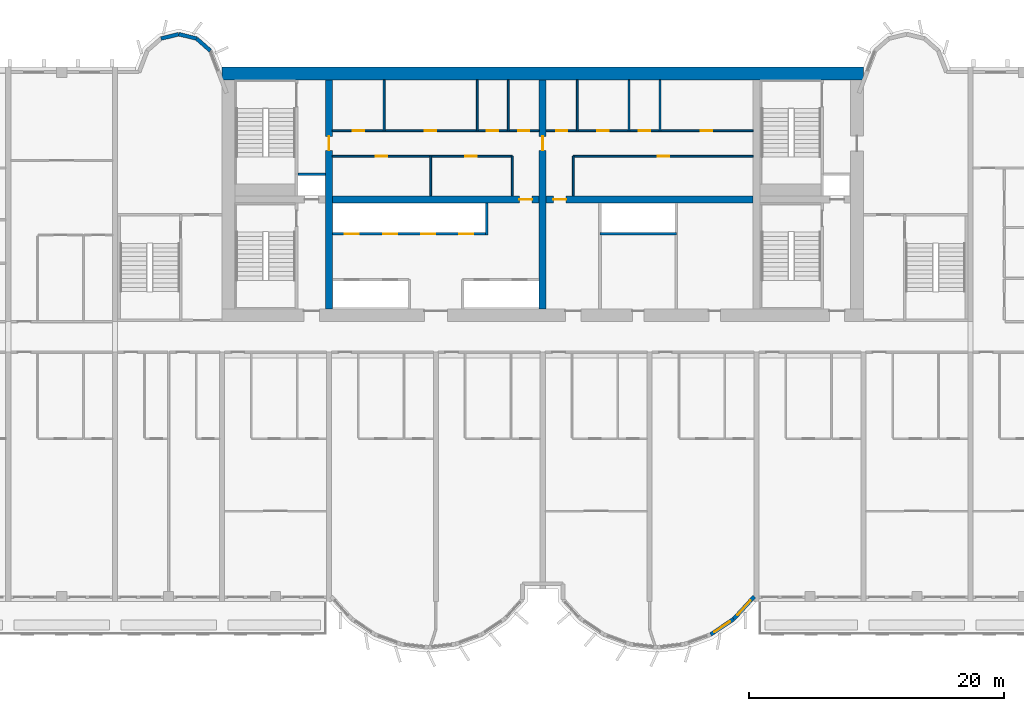
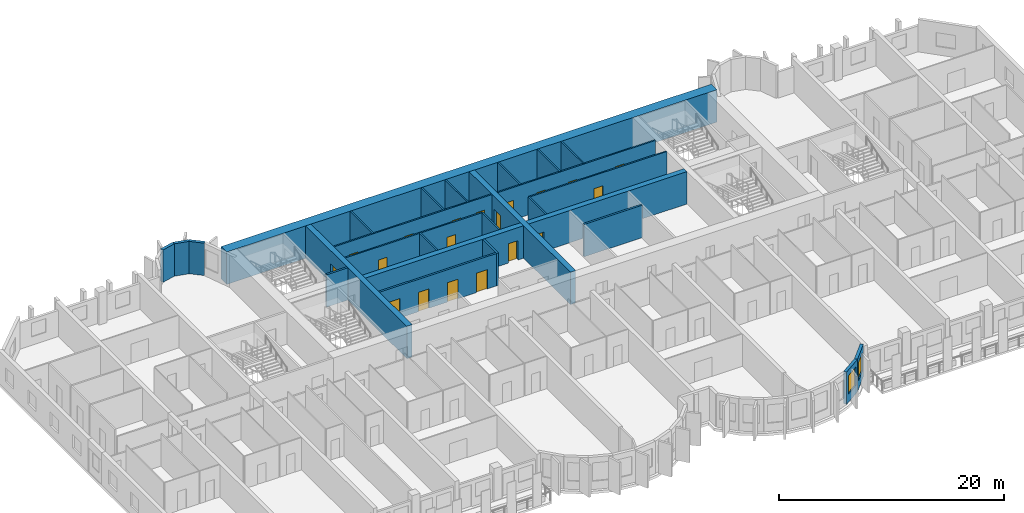
# One storey, part 7 of 15: 27 walls, 19 doors, 2 windows, 21 openings.
"""IFC4 building model written with IfcOpenShell, lengths in metres."""

from ifc_helpers import new_model, si_unit, direction, frame, frame_2d, origin, place, context, subcontext, project, spatial, rectangle, extrude, source, transform, mapped, material, layer, layer_set, type_object, element, fill, save


model = new_model("IFC4")

# Units and contexts
model_context = context("Model", 3, precision=1e-05, world=origin(), true_north=direction((0.0, 1.0)))
body_context = subcontext(model_context, "Body", "Model", "MODEL_VIEW")
ifc_project = project(units=[si_unit("LENGTHUNIT", "METRE"), si_unit("AREAUNIT", "SQUARE_METRE"), si_unit("VOLUMEUNIT", "CUBIC_METRE"), si_unit("PLANEANGLEUNIT", "RADIAN"), si_unit("MASSUNIT", "GRAM", prefix="KILO")], contexts=[model_context])

# Site, building, storey
site_placement = place(None, origin())
site = spatial("IfcSite", under=ifc_project, at=site_placement, CompositionType="ELEMENT")
building_placement = place(site_placement, origin())
building = spatial("IfcBuilding", under=site, at=building_placement, Name="Vanashikhar Sky Hotel", CompositionType="ELEMENT")
storey_placement = place(building_placement, frame((0.0, 0.0, 69.60009765625)))
storey = spatial("IfcBuildingStorey", under=building, at=storey_placement, Name="L16", CompositionType="ELEMENT", Elevation=69.60009765625)

# Wall
ifc_material_1 = material(Name="Concrete M80", Category="concrete")
ifc_layer_1 = layer(ifc_material_1, 1.0)
ifc_layer_set_1 = layer_set([ifc_layer_1], Name="RC core shell wall 1000 Concrete M80")
wall_type_1 = type_object("IfcWallType", Name="RC core shell wall 1000 Concrete M80", PredefinedType="SHEAR", material=ifc_layer_set_1)
shared_shape_1 = source(origin(), body_context, "Body", "SweptSolid", [
    extrude(rectangle(XDim=50.400146484375, YDim=1.0, at=frame_2d((25.2001953125, 0.0))), origin(), (0.0, 0.0, 1.0), 3.52001953125),
])
wall_1_placement = place(storey_placement, frame((25.199951171875, 41.5, 0.0), z_axis=(0.0, 0.0, 1.0), x_axis=(1.0, 0.0, 0.0)))
element("IfcWall", 1, at=wall_1_placement, inside=storey, type_object=wall_type_1, Name="KW-L16-KN", PredefinedType="SHEAR", context=body_context, shape_type="MappedRepresentation", body=[
    mapped(shared_shape_1, transform((0.0, 0.0, 0.0), scale=1.0)),
])

# Wall, opening, door
ifc_layer_2 = layer(ifc_material_1, 0.550048828125)
ifc_layer_set_2 = layer_set([ifc_layer_2], Name="RC core inner wall 550 Concrete M80")
wall_type_2 = type_object("IfcWallType", Name="RC core inner wall 550 Concrete M80", PredefinedType="SHEAR", material=ifc_layer_set_2)
shared_shape_2 = source(origin(), body_context, "Body", "SweptSolid", [
    extrude(rectangle(XDim=18.0, YDim=0.550048828125, at=frame_2d((9.0, 0.0))), origin(), (0.0, 0.0, 1.0), 3.52001953125),
])
wall_2_placement = place(storey_placement, frame((33.60009765625, 23.0, 0.0), z_axis=(0.0, 0.0, 1.0), x_axis=(0.0, 1.0, 0.0)))
wall_2 = element("IfcWall", 2, at=wall_2_placement, inside=storey, type_object=wall_type_2, Name="KW-L16-KX1", PredefinedType="SHEAR", context=body_context, shape_type="MappedRepresentation", body=[
    mapped(shared_shape_2, transform((0.0, 0.0, 0.0), scale=1.0)),
])
shared_shape_3 = source(origin(), body_context, "Body", "SweptSolid", [
    extrude(rectangle(XDim=1.10009765625, YDim=2.10009765625, at=frame_2d((0.550048828125, 1.050048828125))), frame((0.0, 0.28515625, 0.0), z_axis=(0.0, -1.0, 0.0), x_axis=(1.0, 0.0, 0.0)), (0.0, 0.0, 1.0), 0.570068359375),
])
opening_1_placement = place(wall_2_placement, frame((12.449951171875, 0.0, 0.0)))
opening_1 = element("IfcOpeningElement", 3, at=opening_1_placement, cuts=wall_2, Name="Opening DC-4-C", PredefinedType="OPENING", context=body_context, shape_type="MappedRepresentation", body=[
    mapped(shared_shape_3, transform((0.0, 0.0, 0.0), scale=1.0)),
])
ifc_material_2 = material(Name="Steel", Category="steel")
door_type_1 = type_object("IfcDoorType", Name="Service door 1100 FD60", OperationType="NOTDEFINED", PredefinedType="DOOR", material=ifc_material_2)
shared_shape_4 = source(origin(), body_context, "Body", "SweptSolid", [
    extrude(rectangle(XDim=1.10009765625, YDim=2.10009765625, at=frame_2d((0.550048828125, 1.050048828125))), frame((0.0, 0.02490234375, 0.0), z_axis=(0.0, -1.0, 0.0), x_axis=(1.0, 0.0, 0.0)), (0.0, 0.0, 1.0), 0.050048828125),
])
door_1_placement = place(opening_1_placement, origin())
door_1 = element("IfcDoor", 4, at=door_1_placement, inside=storey, type_object=door_type_1, Name="Service door 1100 FD60", OperationType="SINGLE_SWING_LEFT", OverallHeight=2.10009765625, OverallWidth=1.10009765625, PredefinedType="DOOR", context=body_context, shape_type="MappedRepresentation", body=[
    mapped(shared_shape_4, transform((0.0, 0.0, 0.0), scale=1.0)),
])
fill(opening_1, door_1)

wall_3_placement = place(storey_placement, frame((50.39990234375, 23.0, 0.0), z_axis=(0.0, 0.0, 1.0), x_axis=(0.0, 1.0, 0.0)))
wall_3 = element("IfcWall", 5, at=wall_3_placement, inside=storey, type_object=wall_type_2, Name="KW-L16-KX2", PredefinedType="SHEAR", context=body_context, shape_type="MappedRepresentation", body=[
    mapped(shared_shape_2, transform((0.0, 0.0, 0.0), scale=1.0)),
])
opening_2_placement = place(wall_3_placement, frame((12.449951171875, 0.0, 0.0)))
opening_2 = element("IfcOpeningElement", 6, at=opening_2_placement, cuts=wall_3, Name="Opening DC-4-C", PredefinedType="OPENING", context=body_context, shape_type="MappedRepresentation", body=[
    mapped(shared_shape_3, transform((0.0, 0.0, 0.0), scale=1.0)),
])
door_2_placement = place(opening_2_placement, origin())
door_2 = element("IfcDoor", 7, at=door_2_placement, inside=storey, type_object=door_type_1, Name="Service door 1100 FD60", OperationType="SINGLE_SWING_RIGHT", OverallHeight=2.10009765625, OverallWidth=1.10009765625, PredefinedType="DOOR", context=body_context, shape_type="MappedRepresentation", body=[
    mapped(shared_shape_4, transform((0.0, 0.0, 0.0), scale=1.0)),
])
fill(opening_2, door_2)

shared_shape_5 = source(origin(), body_context, "Body", "SweptSolid", [
    extrude(rectangle(XDim=16.25, YDim=0.550048828125, at=frame_2d((8.125, 0.0))), origin(), (0.0, 0.0, 1.0), 3.52001953125),
])
wall_4_placement = place(storey_placement, frame((33.875, 31.60009765625, 0.0), z_axis=(0.0, 0.0, 1.0), x_axis=(1.0, 0.0, 0.0)))
wall_4 = element("IfcWall", 8, at=wall_4_placement, inside=storey, type_object=wall_type_2, Name="KW-L16-KY2", PredefinedType="SHEAR", context=body_context, shape_type="MappedRepresentation", body=[
    mapped(shared_shape_5, transform((0.0, 0.0, 0.0), scale=1.0)),
])
shared_shape_6 = source(origin(), body_context, "Body", "SweptSolid", [
    extrude(rectangle(XDim=1.0, YDim=2.10009765625, at=frame_2d((0.5, 1.050048828125))), frame((0.0, 0.28515625, 0.0), z_axis=(0.0, -1.0, 0.0), x_axis=(1.0, 0.0, 0.0)), (0.0, 0.0, 1.0), 0.570068359375),
])
opening_3_placement = place(wall_4_placement, frame((14.68701171875, 0.0, 0.0)))
opening_3 = element("IfcOpeningElement", 9, at=opening_3_placement, cuts=wall_4, Name="Opening DC-4", PredefinedType="OPENING", context=body_context, shape_type="MappedRepresentation", body=[
    mapped(shared_shape_6, transform((0.0, 0.0, 0.0), scale=1.0)),
])
door_type_2 = type_object("IfcDoorType", Name="Service door 1000 FD60", OperationType="NOTDEFINED", PredefinedType="DOOR", material=ifc_material_2)
shared_shape_7 = source(origin(), body_context, "Body", "SweptSolid", [
    extrude(rectangle(XDim=1.0, YDim=2.10009765625, at=frame_2d((0.5, 1.050048828125))), frame((0.0, 0.02490234375, 0.0), z_axis=(0.0, -1.0, 0.0), x_axis=(1.0, 0.0, 0.0)), (0.0, 0.0, 1.0), 0.050048828125),
])
door_3_placement = place(opening_3_placement, origin())
door_3 = element("IfcDoor", 10, at=door_3_placement, inside=storey, type_object=door_type_2, Name="Service door 1000 FD60", OperationType="SINGLE_SWING_LEFT", OverallHeight=2.10009765625, OverallWidth=1.0, PredefinedType="DOOR", context=body_context, shape_type="MappedRepresentation", body=[
    mapped(shared_shape_7, transform((0.0, 0.0, 0.0), scale=1.0)),
])
fill(opening_3, door_3)

wall_5_placement = place(storey_placement, frame((50.675048828125, 31.60009765625, 0.0), z_axis=(0.0, 0.0, 1.0), x_axis=(1.0, 0.0, 0.0)))
wall_5 = element("IfcWall", 11, at=wall_5_placement, inside=storey, type_object=wall_type_2, Name="KW-L16-KY3", PredefinedType="SHEAR", context=body_context, shape_type="MappedRepresentation", body=[
    mapped(shared_shape_5, transform((0.0, 0.0, 0.0), scale=1.0)),
])
opening_4_placement = place(wall_5_placement, frame((0.56201171875, 0.0, 0.0)))
opening_4 = element("IfcOpeningElement", 12, at=opening_4_placement, cuts=wall_5, Name="Opening DC-4", PredefinedType="OPENING", context=body_context, shape_type="MappedRepresentation", body=[
    mapped(shared_shape_6, transform((0.0, 0.0, 0.0), scale=1.0)),
])
door_4_placement = place(opening_4_placement, origin())
door_4 = element("IfcDoor", 13, at=door_4_placement, inside=storey, type_object=door_type_2, Name="Service door 1000 FD60", OperationType="SINGLE_SWING_LEFT", OverallHeight=2.10009765625, OverallWidth=1.0, PredefinedType="DOOR", context=body_context, shape_type="MappedRepresentation", body=[
    mapped(shared_shape_7, transform((0.0, 0.0, 0.0), scale=1.0)),
])
fill(opening_4, door_4)

# Wall, opening, window
ifc_material_3 = material(Name="Concrete M50", Category="concrete")
ifc_layer_3 = layer(ifc_material_3, 0.300048828125)
ifc_layer_set_3 = layer_set([ifc_layer_3], Name="Lobe wall 300")
wall_type_3 = type_object("IfcWallType", Name="Lobe wall 300", PredefinedType="SOLIDWALL", material=ifc_layer_set_3)
shared_shape_8 = source(origin(), body_context, "Body", "SweptSolid", [
    extrude(rectangle(XDim=2.398193359375, YDim=0.300048828125, at=frame_2d((1.19921875, 0.0))), origin(), (0.0, 0.0, 1.0), 3.52001953125),
])
wall_6_placement = place(storey_placement, frame((65.404296875, -1.36865234375, 0.0), z_axis=(0.0, 0.0, 1.0), x_axis=(0.675374189419, 0.737475222815, 0.0)))
wall_6 = element("IfcWall", 14, at=wall_6_placement, inside=storey, type_object=wall_type_3, Name="Lobe wall", PredefinedType="SOLIDWALL", context=body_context, shape_type="MappedRepresentation", body=[
    mapped(shared_shape_8, transform((0.0, 0.0, 0.0), scale=1.0)),
])
shared_shape_9 = source(origin(), body_context, "Body", "SweptSolid", [
    extrude(rectangle(XDim=1.5, YDim=2.0, at=frame_2d((0.75, 1.0))), frame((0.0, 0.16015625, 0.0), z_axis=(0.0, -1.0, 0.0), x_axis=(1.0, 0.0, 0.0)), (0.0, 0.0, 1.0), 0.320068359375),
])
opening_5_placement = place(wall_6_placement, frame((0.44921875, 0.0, 0.89990234375)))
opening_5 = element("IfcOpeningElement", 15, at=opening_5_placement, cuts=wall_6, Name="Opening WN-2", PredefinedType="OPENING", context=body_context, shape_type="MappedRepresentation", body=[
    mapped(shared_shape_9, transform((0.0, 0.0, 0.0), scale=1.0)),
])
ifc_material_4 = material(Name="Glass", Category="glass")
window_type = type_object("IfcWindowType", Name="Lobe window 1500 x 2000", PartitioningType="SINGLE_PANEL", PredefinedType="WINDOW", material=ifc_material_4)
shared_shape_10 = source(origin(), body_context, "Body", "SweptSolid", [
    extrude(rectangle(XDim=1.5, YDim=2.0, at=frame_2d((0.75, 1.0))), frame((0.0, 0.030029296875, 0.0), z_axis=(0.0, -1.0, 0.0), x_axis=(1.0, 0.0, 0.0)), (0.0, 0.0, 1.0), 0.06005859375),
])
window_1_placement = place(opening_5_placement, origin())
window_1 = element("IfcWindow", 16, at=window_1_placement, inside=storey, type_object=window_type, Name="Window WN-2", OverallHeight=2.0, OverallWidth=1.5, PartitioningType="SINGLE_PANEL", PredefinedType="WINDOW", context=body_context, shape_type="MappedRepresentation", body=[
    mapped(shared_shape_10, transform((0.0, 0.0, 0.0), scale=1.0)),
])
fill(opening_5, window_1)

shared_shape_11 = source(origin(), body_context, "Body", "SweptSolid", [
    extrude(rectangle(XDim=2.17578125, YDim=0.300048828125, at=frame_2d((1.087890625, 0.0))), origin(), (0.0, 0.0, 1.0), 3.52001953125),
])
wall_7_placement = place(storey_placement, frame((63.59912109375, -2.58349609375, 0.0), z_axis=(0.0, 0.0, 1.0), x_axis=(0.829625727223, 0.558319937607, 0.0)))
wall_7 = element("IfcWall", 17, at=wall_7_placement, inside=storey, type_object=wall_type_3, Name="Lobe wall", PredefinedType="SOLIDWALL", context=body_context, shape_type="MappedRepresentation", body=[
    mapped(shared_shape_11, transform((0.0, 0.0, 0.0), scale=1.0)),
])
opening_6_placement = place(wall_7_placement, frame((0.337890625, 0.0, 0.89990234375)))
opening_6 = element("IfcOpeningElement", 18, at=opening_6_placement, cuts=wall_7, Name="Opening WN-2", PredefinedType="OPENING", context=body_context, shape_type="MappedRepresentation", body=[
    mapped(shared_shape_9, transform((0.0, 0.0, 0.0), scale=1.0)),
])
window_2_placement = place(opening_6_placement, origin())
window_2 = element("IfcWindow", 19, at=window_2_placement, inside=storey, type_object=window_type, Name="Window WN-2", OverallHeight=2.0, OverallWidth=1.5, PartitioningType="SINGLE_PANEL", PredefinedType="WINDOW", context=body_context, shape_type="MappedRepresentation", body=[
    mapped(shared_shape_10, transform((0.0, 0.0, 0.0), scale=1.0)),
])
fill(opening_6, window_2)

# Walls
shared_shape_12 = source(origin(), body_context, "Body", "SweptSolid", [
    extrude(rectangle(XDim=1.440185546875, YDim=0.300048828125, at=frame_2d((0.72021484375, 0.0))), origin(), (0.0, 0.0, 1.0), 3.52001953125),
])
wall_8_placement = place(storey_placement, frame((24.276611328125, 43.2919921875, 0.0), z_axis=(0.0, 0.0, 1.0), x_axis=(-0.749649827867, 0.661834673902, 0.0)))
element("IfcWall", 20, at=wall_8_placement, inside=storey, type_object=wall_type_3, Name="Lobe wall", PredefinedType="SOLIDWALL", context=body_context, shape_type="MappedRepresentation", body=[
    mapped(shared_shape_12, transform((0.0, 0.0, 0.0), scale=1.0)),
])
shared_shape_13 = source(origin(), body_context, "Body", "SweptSolid", [
    extrude(rectangle(XDim=1.4384765625, YDim=0.300048828125, at=frame_2d((0.71923828125, 0.0))), origin(), (0.0, 0.0, 1.0), 3.52001953125),
])
wall_9_placement = place(storey_placement, frame((23.197021484375, 44.2451171875, 0.0), z_axis=(0.0, 0.0, 1.0), x_axis=(-0.971152283879, 0.238460146601, 0.0)))
element("IfcWall", 21, at=wall_9_placement, inside=storey, type_object=wall_type_3, Name="Lobe wall", PredefinedType="SOLIDWALL", context=body_context, shape_type="MappedRepresentation", body=[
    mapped(shared_shape_13, transform((0.0, 0.0, 0.0), scale=1.0)),
])
shared_shape_14 = source(origin(), body_context, "Body", "SweptSolid", [
    extrude(rectangle(XDim=1.438720703125, YDim=0.300048828125, at=frame_2d((0.71923828125, 0.0))), origin(), (0.0, 0.0, 1.0), 3.52001953125),
])
wall_10_placement = place(storey_placement, frame((21.800048828125, 44.588134765625, 0.0), z_axis=(0.0, 0.0, 1.0), x_axis=(-0.971161932466, -0.238420848351, 0.0)))
element("IfcWall", 22, at=wall_10_placement, inside=storey, type_object=wall_type_3, Name="Lobe wall", PredefinedType="SOLIDWALL", context=body_context, shape_type="MappedRepresentation", body=[
    mapped(shared_shape_14, transform((0.0, 0.0, 0.0), scale=1.0)),
])
ifc_material_5 = material(Name="Concrete M40", Category="concrete")
ifc_layer_4 = layer(ifc_material_5, 0.199951171875)
ifc_layer_set_4 = layer_set([ifc_layer_4], Name="Shaft wall 200")
wall_type_4 = type_object("IfcWallType", Name="Shaft wall 200", PredefinedType="SOLIDWALL", material=ifc_layer_set_4)
shared_shape_15 = source(origin(), body_context, "Body", "SweptSolid", [
    extrude(rectangle(XDim=6.0, YDim=0.199951171875, at=frame_2d((3.0, 0.0))), origin(), (0.0, 0.0, 1.0), 3.52001953125),
])
wall_11_placement = place(storey_placement, frame((60.89990234375, 28.89990234375, 0.0), z_axis=(0.0, 0.0, 1.0), x_axis=(-1.0, 0.0, 0.0)))
element("IfcWall", 23, at=wall_11_placement, inside=storey, type_object=wall_type_4, Name="Shaft wall 200", PredefinedType="SOLIDWALL", context=body_context, shape_type="MappedRepresentation", body=[
    mapped(shared_shape_15, transform((0.0, 0.0, 0.0), scale=1.0)),
])

# Wall, openings, doors
shared_shape_16 = source(origin(), body_context, "Body", "SweptSolid", [
    extrude(rectangle(XDim=12.02490234375, YDim=0.199951171875, at=frame_2d((6.012451171875, 0.0))), origin(), (0.0, 0.0, 1.0), 3.52001953125),
])
wall_12_placement = place(storey_placement, frame((33.875, 28.89990234375, 0.0), z_axis=(0.0, 0.0, 1.0), x_axis=(1.0, 0.0, 0.0)))
wall_12 = element("IfcWall", 24, at=wall_12_placement, inside=storey, type_object=wall_type_4, Name="Shaft wall 200", PredefinedType="SOLIDWALL", context=body_context, shape_type="MappedRepresentation", body=[
    mapped(shared_shape_16, transform((0.0, 0.0, 0.0), scale=1.0)),
])
shared_shape_17 = source(origin(), body_context, "Body", "SweptSolid", [
    extrude(rectangle(XDim=1.10009765625, YDim=2.10009765625, at=frame_2d((0.550048828125, 1.050048828125))), frame((0.0, 0.10986328125, 0.0), z_axis=(0.0, -1.0, 0.0), x_axis=(1.0, 0.0, 0.0)), (0.0, 0.0, 1.0), 0.219970703125),
])
opening_7_placement = place(wall_12_placement, frame((0.97509765625, 0.0, 0.0)))
opening_7 = element("IfcOpeningElement", 25, at=opening_7_placement, cuts=wall_12, Name="Opening LD", PredefinedType="OPENING", context=body_context, shape_type="MappedRepresentation", body=[
    mapped(shared_shape_17, transform((0.0, 0.0, 0.0), scale=1.0)),
])
opening_8_placement = place(wall_12_placement, frame((3.97509765625, 0.0, 0.0)))
opening_8 = element("IfcOpeningElement", 26, at=opening_8_placement, cuts=wall_12, Name="Opening LD", PredefinedType="OPENING", context=body_context, shape_type="MappedRepresentation", body=[
    mapped(shared_shape_17, transform((0.0, 0.0, 0.0), scale=1.0)),
])
opening_9_placement = place(wall_12_placement, frame((6.97509765625, 0.0, 0.0)))
opening_9 = element("IfcOpeningElement", 27, at=opening_9_placement, cuts=wall_12, Name="Opening LD", PredefinedType="OPENING", context=body_context, shape_type="MappedRepresentation", body=[
    mapped(shared_shape_17, transform((0.0, 0.0, 0.0), scale=1.0)),
])
opening_10_placement = place(wall_12_placement, frame((9.97509765625, 0.0, 0.0)))
opening_10 = element("IfcOpeningElement", 28, at=opening_10_placement, cuts=wall_12, Name="Opening LD", PredefinedType="OPENING", context=body_context, shape_type="MappedRepresentation", body=[
    mapped(shared_shape_17, transform((0.0, 0.0, 0.0), scale=1.0)),
])
ifc_material_6 = material(Name="Stainless steel", Category="steel")
door_type_3 = type_object("IfcDoorType", Name="Lift landing door 1100", OperationType="NOTDEFINED", PredefinedType="DOOR", material=ifc_material_6)
door_5_placement = place(opening_7_placement, origin())
door_5 = element("IfcDoor", 29, at=door_5_placement, inside=storey, type_object=door_type_3, Name="Lift landing door 1100", OperationType="SLIDING_TO_LEFT", OverallHeight=2.10009765625, OverallWidth=1.10009765625, PredefinedType="DOOR", context=body_context, shape_type="MappedRepresentation", body=[
    mapped(shared_shape_4, transform((0.0, 0.0, 0.0), scale=1.0)),
])
fill(opening_7, door_5)
door_6_placement = place(opening_8_placement, origin())
door_6 = element("IfcDoor", 30, at=door_6_placement, inside=storey, type_object=door_type_3, Name="Lift landing door 1100", OperationType="SLIDING_TO_RIGHT", OverallHeight=2.10009765625, OverallWidth=1.10009765625, PredefinedType="DOOR", context=body_context, shape_type="MappedRepresentation", body=[
    mapped(shared_shape_4, transform((0.0, 0.0, 0.0), scale=1.0)),
])
fill(opening_8, door_6)
door_7_placement = place(opening_9_placement, origin())
door_7 = element("IfcDoor", 31, at=door_7_placement, inside=storey, type_object=door_type_3, Name="Lift landing door 1100", OperationType="SLIDING_TO_LEFT", OverallHeight=2.10009765625, OverallWidth=1.10009765625, PredefinedType="DOOR", context=body_context, shape_type="MappedRepresentation", body=[
    mapped(shared_shape_4, transform((0.0, 0.0, 0.0), scale=1.0)),
])
fill(opening_9, door_7)
door_8_placement = place(opening_10_placement, origin())
door_8 = element("IfcDoor", 32, at=door_8_placement, inside=storey, type_object=door_type_3, Name="Lift landing door 1100", OperationType="SLIDING_TO_RIGHT", OverallHeight=2.10009765625, OverallWidth=1.10009765625, PredefinedType="DOOR", context=body_context, shape_type="MappedRepresentation", body=[
    mapped(shared_shape_4, transform((0.0, 0.0, 0.0), scale=1.0)),
])
fill(opening_10, door_8)

# Walls
shared_shape_18 = source(origin(), body_context, "Body", "SweptSolid", [
    extrude(rectangle(XDim=2.52490234375, YDim=0.199951171875, at=frame_2d((1.262451171875, 0.0))), origin(), (0.0, 0.0, 1.0), 3.52001953125),
])
wall_13_placement = place(storey_placement, frame((46.0, 28.800048828125, 0.0), z_axis=(0.0, 0.0, 1.0), x_axis=(0.0, 1.0, 0.0)))
element("IfcWall", 33, at=wall_13_placement, inside=storey, type_object=wall_type_4, Name="Shaft wall 200", PredefinedType="SOLIDWALL", context=body_context, shape_type="MappedRepresentation", body=[
    mapped(shared_shape_18, transform((0.0, 0.0, 0.0), scale=1.0)),
])
ifc_material_7 = material(Name="Gypsum board partition")
ifc_layer_5 = layer(ifc_material_7, 0.14990234375)
ifc_layer_set_5 = layer_set([ifc_layer_5], Name="Service partition 150")
wall_type_5 = type_object("IfcWallType", Name="Service partition 150", PredefinedType="PARTITIONING", material=ifc_layer_set_5)
shared_shape_19 = source(origin(), body_context, "Body", "SweptSolid", [
    extrude(rectangle(XDim=3.125, YDim=0.14990234375, at=frame_2d((1.5625, 0.0))), origin(), (0.0, 0.0, 1.0), 3.52001953125),
])
for number, where, z_axis, x_axis, name in (
    (34, (48.0, 31.875, 0.0), (0.0, 0.0, 1.0), (0.0, 1.0, 0.0), "Service partition 150"),
    (35, (41.60205078125, 31.875, 0.0), (0.0, 0.0, 1.0), (0.0, 1.0, 0.0), "Service partition 150"),
    (36, (52.800048828125, 31.875, 0.0), (0.0, 0.0, 1.0), (0.0, 1.0, 0.0), "Service partition 150"),
):
    element("IfcWall", number, at=place(storey_placement, frame(where, z_axis=z_axis, x_axis=x_axis)), inside=storey, type_object=wall_type_5, Name=name, PredefinedType="PARTITIONING", context=body_context, shape_type="MappedRepresentation", body=[
        mapped(shared_shape_19, transform((0.0, 0.0, 0.0), scale=1.0)),
    ])

# Wall, openings, doors
shared_shape_20 = source(origin(), body_context, "Body", "SweptSolid", [
    extrude(rectangle(XDim=14.125, YDim=0.14990234375, at=frame_2d((7.0625, 0.0))), origin(), (0.0, 0.0, 1.0), 3.52001953125),
])
wall_14_placement = place(storey_placement, frame((33.875, 35.0, 0.0), z_axis=(0.0, 0.0, 1.0), x_axis=(1.0, 0.0, 0.0)))
wall_14 = element("IfcWall", 37, at=wall_14_placement, inside=storey, type_object=wall_type_5, Name="Service partition 150", PredefinedType="PARTITIONING", context=body_context, shape_type="MappedRepresentation", body=[
    mapped(shared_shape_20, transform((0.0, 0.0, 0.0), scale=1.0)),
])
shared_shape_21 = source(origin(), body_context, "Body", "SweptSolid", [
    extrude(rectangle(XDim=0.89990234375, YDim=2.10009765625, at=frame_2d((0.449951171875, 1.050048828125))), frame((0.0, 0.0849609375, 0.0), z_axis=(0.0, -1.0, 0.0), x_axis=(1.0, 0.0, 0.0)), (0.0, 0.0, 1.0), 0.169921875),
])
opening_11_placement = place(wall_14_placement, frame((3.4140625, 0.0, 0.0)))
opening_11 = element("IfcOpeningElement", 38, at=opening_11_placement, cuts=wall_14, Name="Opening DC-4-A", PredefinedType="OPENING", context=body_context, shape_type="MappedRepresentation", body=[
    mapped(shared_shape_21, transform((0.0, 0.0, 0.0), scale=1.0)),
])
opening_12_placement = place(wall_14_placement, frame((10.43896484375, 0.0, 0.0)))
opening_12 = element("IfcOpeningElement", 39, at=opening_12_placement, cuts=wall_14, Name="Opening DC-4-A", PredefinedType="OPENING", context=body_context, shape_type="MappedRepresentation", body=[
    mapped(shared_shape_21, transform((0.0, 0.0, 0.0), scale=1.0)),
])
door_type_4 = type_object("IfcDoorType", Name="Service door 900 FD60", OperationType="NOTDEFINED", PredefinedType="DOOR", material=ifc_material_2)
shared_shape_22 = source(origin(), body_context, "Body", "SweptSolid", [
    extrude(rectangle(XDim=0.89990234375, YDim=2.10009765625, at=frame_2d((0.449951171875, 1.050048828125))), frame((0.0, 0.02490234375, 0.0), z_axis=(0.0, -1.0, 0.0), x_axis=(1.0, 0.0, 0.0)), (0.0, 0.0, 1.0), 0.050048828125),
])
door_9_placement = place(opening_11_placement, origin())
door_9 = element("IfcDoor", 40, at=door_9_placement, inside=storey, type_object=door_type_4, Name="Service door 900 FD60", OperationType="SINGLE_SWING_RIGHT", OverallHeight=2.10009765625, OverallWidth=0.89990234375, PredefinedType="DOOR", context=body_context, shape_type="MappedRepresentation", body=[
    mapped(shared_shape_22, transform((0.0, 0.0, 0.0), scale=1.0)),
])
fill(opening_11, door_9)
door_10_placement = place(opening_12_placement, origin())
door_10 = element("IfcDoor", 41, at=door_10_placement, inside=storey, type_object=door_type_4, Name="Service door 900 FD60", OperationType="SINGLE_SWING_RIGHT", OverallHeight=2.10009765625, OverallWidth=0.89990234375, PredefinedType="DOOR", context=body_context, shape_type="MappedRepresentation", body=[
    mapped(shared_shape_22, transform((0.0, 0.0, 0.0), scale=1.0)),
])
fill(opening_12, door_10)

# Wall, opening, door
wall_15_placement = place(storey_placement, frame((66.925048828125, 35.0, 0.0), z_axis=(0.0, 0.0, 1.0), x_axis=(-1.0, 0.0, 0.0)))
wall_15 = element("IfcWall", 42, at=wall_15_placement, inside=storey, type_object=wall_type_5, Name="Service partition 150", PredefinedType="PARTITIONING", context=body_context, shape_type="MappedRepresentation", body=[
    mapped(shared_shape_20, transform((0.0, 0.0, 0.0), scale=1.0)),
])
opening_13_placement = place(wall_15_placement, frame((6.574951171875, 0.0, 0.0)))
opening_13 = element("IfcOpeningElement", 43, at=opening_13_placement, cuts=wall_15, Name="Opening DC-4-A", PredefinedType="OPENING", context=body_context, shape_type="MappedRepresentation", body=[
    mapped(shared_shape_21, transform((0.0, 0.0, 0.0), scale=1.0)),
])
door_11_placement = place(opening_13_placement, origin())
door_11 = element("IfcDoor", 44, at=door_11_placement, inside=storey, type_object=door_type_4, Name="Service door 900 FD60", OperationType="SINGLE_SWING_RIGHT", OverallHeight=2.10009765625, OverallWidth=0.89990234375, PredefinedType="DOOR", context=body_context, shape_type="MappedRepresentation", body=[
    mapped(shared_shape_22, transform((0.0, 0.0, 0.0), scale=1.0)),
])
fill(opening_13, door_11)

# Wall, openings, doors
shared_shape_23 = source(origin(), body_context, "Body", "SweptSolid", [
    extrude(rectangle(XDim=16.25, YDim=0.14990234375, at=frame_2d((8.125, 0.0))), origin(), (0.0, 0.0, 1.0), 3.52001953125),
])
wall_16_placement = place(storey_placement, frame((33.875, 37.0, 0.0), z_axis=(0.0, 0.0, 1.0), x_axis=(1.0, 0.0, 0.0)))
wall_16 = element("IfcWall", 45, at=wall_16_placement, inside=storey, type_object=wall_type_5, Name="Service partition 150", PredefinedType="PARTITIONING", context=body_context, shape_type="MappedRepresentation", body=[
    mapped(shared_shape_23, transform((0.0, 0.0, 0.0), scale=1.0)),
])
opening_14_placement = place(wall_16_placement, frame((1.5810546875, 0.0, 0.0)))
opening_14 = element("IfcOpeningElement", 46, at=opening_14_placement, cuts=wall_16, Name="Opening DC-4-A", PredefinedType="OPENING", context=body_context, shape_type="MappedRepresentation", body=[
    mapped(shared_shape_21, transform((0.0, 0.0, 0.0), scale=1.0)),
])
opening_15_placement = place(wall_16_placement, frame((7.26904296875, 0.0, 0.0)))
opening_15 = element("IfcOpeningElement", 47, at=opening_15_placement, cuts=wall_16, Name="Opening DC-4-A", PredefinedType="OPENING", context=body_context, shape_type="MappedRepresentation", body=[
    mapped(shared_shape_21, transform((0.0, 0.0, 0.0), scale=1.0)),
])
opening_16_placement = place(wall_16_placement, frame((12.14404296875, 0.0, 0.0)))
opening_16 = element("IfcOpeningElement", 48, at=opening_16_placement, cuts=wall_16, Name="Opening DC-4-A", PredefinedType="OPENING", context=body_context, shape_type="MappedRepresentation", body=[
    mapped(shared_shape_21, transform((0.0, 0.0, 0.0), scale=1.0)),
])
opening_17_placement = place(wall_16_placement, frame((14.5810546875, 0.0, 0.0)))
opening_17 = element("IfcOpeningElement", 49, at=opening_17_placement, cuts=wall_16, Name="Opening DC-4-A", PredefinedType="OPENING", context=body_context, shape_type="MappedRepresentation", body=[
    mapped(shared_shape_21, transform((0.0, 0.0, 0.0), scale=1.0)),
])
door_12_placement = place(opening_14_placement, origin())
door_12 = element("IfcDoor", 50, at=door_12_placement, inside=storey, type_object=door_type_4, Name="Service door 900 FD60", OperationType="SINGLE_SWING_RIGHT", OverallHeight=2.10009765625, OverallWidth=0.89990234375, PredefinedType="DOOR", context=body_context, shape_type="MappedRepresentation", body=[
    mapped(shared_shape_22, transform((0.0, 0.0, 0.0), scale=1.0)),
])
fill(opening_14, door_12)
door_13_placement = place(opening_15_placement, origin())
door_13 = element("IfcDoor", 51, at=door_13_placement, inside=storey, type_object=door_type_4, Name="Service door 900 FD60", OperationType="SINGLE_SWING_RIGHT", OverallHeight=2.10009765625, OverallWidth=0.89990234375, PredefinedType="DOOR", context=body_context, shape_type="MappedRepresentation", body=[
    mapped(shared_shape_22, transform((0.0, 0.0, 0.0), scale=1.0)),
])
fill(opening_15, door_13)
door_14_placement = place(opening_16_placement, origin())
door_14 = element("IfcDoor", 52, at=door_14_placement, inside=storey, type_object=door_type_4, Name="Service door 900 FD60", OperationType="SINGLE_SWING_RIGHT", OverallHeight=2.10009765625, OverallWidth=0.89990234375, PredefinedType="DOOR", context=body_context, shape_type="MappedRepresentation", body=[
    mapped(shared_shape_22, transform((0.0, 0.0, 0.0), scale=1.0)),
])
fill(opening_16, door_14)
door_15_placement = place(opening_17_placement, origin())
door_15 = element("IfcDoor", 53, at=door_15_placement, inside=storey, type_object=door_type_4, Name="Service door 900 FD60", OperationType="SINGLE_SWING_LEFT", OverallHeight=2.10009765625, OverallWidth=0.89990234375, PredefinedType="DOOR", context=body_context, shape_type="MappedRepresentation", body=[
    mapped(shared_shape_22, transform((0.0, 0.0, 0.0), scale=1.0)),
])
fill(opening_17, door_15)

wall_17_placement = place(storey_placement, frame((66.925048828125, 37.0, 0.0), z_axis=(0.0, 0.0, 1.0), x_axis=(-1.0, 0.0, 0.0)))
wall_17 = element("IfcWall", 54, at=wall_17_placement, inside=storey, type_object=wall_type_5, Name="Service partition 150", PredefinedType="PARTITIONING", context=body_context, shape_type="MappedRepresentation", body=[
    mapped(shared_shape_23, transform((0.0, 0.0, 0.0), scale=1.0)),
])
opening_18_placement = place(wall_17_placement, frame((3.2060546875, 0.0, 0.0)))
opening_18 = element("IfcOpeningElement", 55, at=opening_18_placement, cuts=wall_17, Name="Opening DC-4-A", PredefinedType="OPENING", context=body_context, shape_type="MappedRepresentation", body=[
    mapped(shared_shape_21, transform((0.0, 0.0, 0.0), scale=1.0)),
])
opening_19_placement = place(wall_17_placement, frame((8.0810546875, 0.0, 0.0)))
opening_19 = element("IfcOpeningElement", 56, at=opening_19_placement, cuts=wall_17, Name="Opening DC-4-A", PredefinedType="OPENING", context=body_context, shape_type="MappedRepresentation", body=[
    mapped(shared_shape_21, transform((0.0, 0.0, 0.0), scale=1.0)),
])
opening_20_placement = place(wall_17_placement, frame((11.3310546875, 0.0, 0.0)))
opening_20 = element("IfcOpeningElement", 57, at=opening_20_placement, cuts=wall_17, Name="Opening DC-4-A", PredefinedType="OPENING", context=body_context, shape_type="MappedRepresentation", body=[
    mapped(shared_shape_21, transform((0.0, 0.0, 0.0), scale=1.0)),
])
opening_21_placement = place(wall_17_placement, frame((14.5810546875, 0.0, 0.0)))
opening_21 = element("IfcOpeningElement", 58, at=opening_21_placement, cuts=wall_17, Name="Opening DC-4-A", PredefinedType="OPENING", context=body_context, shape_type="MappedRepresentation", body=[
    mapped(shared_shape_21, transform((0.0, 0.0, 0.0), scale=1.0)),
])
door_16_placement = place(opening_18_placement, origin())
door_16 = element("IfcDoor", 59, at=door_16_placement, inside=storey, type_object=door_type_4, Name="Service door 900 FD60", OperationType="SINGLE_SWING_LEFT", OverallHeight=2.10009765625, OverallWidth=0.89990234375, PredefinedType="DOOR", context=body_context, shape_type="MappedRepresentation", body=[
    mapped(shared_shape_22, transform((0.0, 0.0, 0.0), scale=1.0)),
])
fill(opening_18, door_16)
door_17_placement = place(opening_19_placement, origin())
door_17 = element("IfcDoor", 60, at=door_17_placement, inside=storey, type_object=door_type_4, Name="Service door 900 FD60", OperationType="SINGLE_SWING_LEFT", OverallHeight=2.10009765625, OverallWidth=0.89990234375, PredefinedType="DOOR", context=body_context, shape_type="MappedRepresentation", body=[
    mapped(shared_shape_22, transform((0.0, 0.0, 0.0), scale=1.0)),
])
fill(opening_19, door_17)
door_18_placement = place(opening_20_placement, origin())
door_18 = element("IfcDoor", 61, at=door_18_placement, inside=storey, type_object=door_type_4, Name="Service door 900 FD60", OperationType="SINGLE_SWING_LEFT", OverallHeight=2.10009765625, OverallWidth=0.89990234375, PredefinedType="DOOR", context=body_context, shape_type="MappedRepresentation", body=[
    mapped(shared_shape_22, transform((0.0, 0.0, 0.0), scale=1.0)),
])
fill(opening_20, door_18)
door_19_placement = place(opening_21_placement, origin())
door_19 = element("IfcDoor", 62, at=door_19_placement, inside=storey, type_object=door_type_4, Name="Service door 900 FD60", OperationType="SINGLE_SWING_RIGHT", OverallHeight=2.10009765625, OverallWidth=0.89990234375, PredefinedType="DOOR", context=body_context, shape_type="MappedRepresentation", body=[
    mapped(shared_shape_22, transform((0.0, 0.0, 0.0), scale=1.0)),
])
fill(opening_21, door_19)

# Walls
shared_shape_24 = source(origin(), body_context, "Body", "SweptSolid", [
    extrude(rectangle(XDim=4.0, YDim=0.14990234375, at=frame_2d((2.0, 0.0))), origin(), (0.0, 0.0, 1.0), 3.52001953125),
])
for number, where, z_axis, x_axis, name in (
    (63, (37.93798828125, 37.0, 0.0), (0.0, 0.0, 1.0), (0.0, 1.0, 0.0), "Service partition 150"),
    (64, (45.25, 37.0, 0.0), (0.0, 0.0, 1.0), (0.0, 1.0, 0.0), "Service partition 150"),
    (65, (47.68798828125, 37.0, 0.0), (0.0, 0.0, 1.0), (0.0, 1.0, 0.0), "Service partition 150"),
    (66, (59.612060546875, 37.0, 0.0), (0.0, 0.0, 1.0), (0.0, 1.0, 0.0), "Service partition 150"),
    (67, (57.175048828125, 37.0, 0.0), (0.0, 0.0, 1.0), (0.0, 1.0, 0.0), "Service partition 150"),
    (68, (53.112060546875, 37.0, 0.0), (0.0, 0.0, 1.0), (0.0, 1.0, 0.0), "Service partition 150"),
):
    element("IfcWall", number, at=place(storey_placement, frame(where, z_axis=z_axis, x_axis=x_axis)), inside=storey, type_object=wall_type_5, Name=name, PredefinedType="PARTITIONING", context=body_context, shape_type="MappedRepresentation", body=[
        mapped(shared_shape_24, transform((0.0, 0.0, 0.0), scale=1.0)),
    ])
shared_shape_25 = source(origin(), body_context, "Body", "SweptSolid", [
    extrude(rectangle(XDim=2.175048828125, YDim=0.199951171875, at=frame_2d((1.08740234375, 0.0))), origin(), (0.0, 0.0, 1.0), 3.52001953125),
])
wall_18_placement = place(storey_placement, frame((31.14990234375, 33.60009765625, 0.0), z_axis=(0.0, 0.0, 1.0), x_axis=(1.0, 0.0, 0.0)))
element("IfcWall", 69, at=wall_18_placement, inside=storey, type_object=wall_type_4, Name="Shaft wall 200", PredefinedType="SOLIDWALL", context=body_context, shape_type="MappedRepresentation", body=[
    mapped(shared_shape_25, transform((0.0, 0.0, 0.0), scale=1.0)),
])

save(model, "model.ifc")
